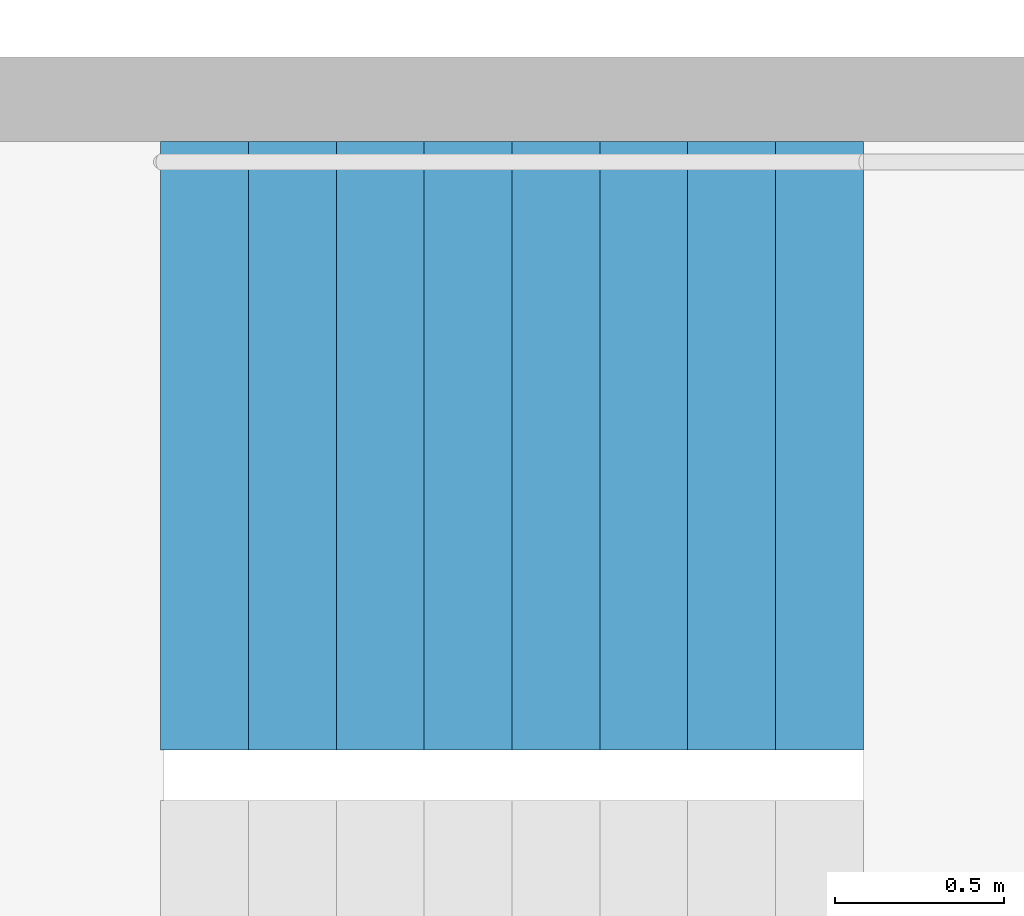
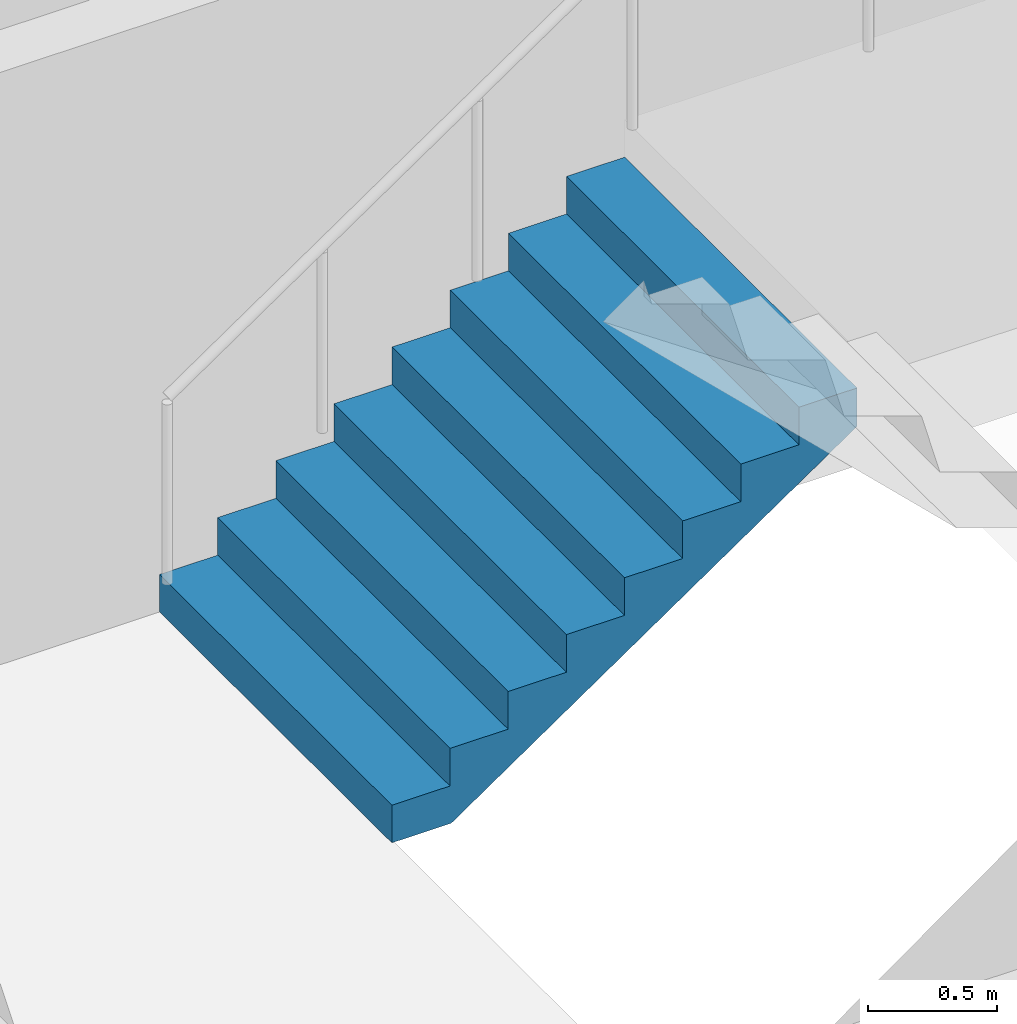
# One storey, part 26 of 29: 1 stair flight, 1 element without a shape of its own.
"""IFC4 building model written with IfcOpenShell, lengths in metres."""

from ifc_helpers import new_model, si_unit, direction, frame, origin, place, context, subcontext, project, spatial, triangles, material, type_object, element, aggregate, save


model = new_model("IFC4")

# Units and contexts
model_context = context("Model", 3, precision=1e-05, world=origin(), true_north=direction((0.0, 1.0)))
body_context = subcontext(model_context, "Body", "Model", "MODEL_VIEW")
ifc_project = project(units=[si_unit("LENGTHUNIT", "METRE"), si_unit("AREAUNIT", "SQUARE_METRE"), si_unit("VOLUMEUNIT", "CUBIC_METRE"), si_unit("PLANEANGLEUNIT", "RADIAN"), si_unit("MASSUNIT", "GRAM", prefix="KILO")], contexts=[model_context])

# Site, building, storey
site_placement = place(None, origin())
site = spatial("IfcSite", under=ifc_project, at=site_placement, CompositionType="ELEMENT")
building_placement = place(site_placement, origin())
building = spatial("IfcBuilding", under=site, at=building_placement, Name="Hakoniwa Tower and Hamabe Station Hall", CompositionType="ELEMENT")
storey_placement = place(building_placement, frame((0.0, 0.0, 101.0)))
storey = spatial("IfcBuildingStorey", under=building, at=storey_placement, Name="L28", CompositionType="ELEMENT", Elevation=101.0)

# Stair, stair flight
ifc_material_1 = material(Name="Concrete C40", Category="concrete")
stair_type = type_object("IfcStairType", Name="ESCAPE STAIR 1800", PredefinedType="HALF_TURN_STAIR", material=ifc_material_1)
stair_placement = place(storey_placement, origin())
stair = element("IfcStair", 1, at=stair_placement, inside=storey, type_object=stair_type, Name="Escape stair ST-4 L28", PredefinedType="HALF_TURN_STAIR")
ifc_material_2 = material(Name="Concrete C40", Category="concrete")
stair_flight_type = type_object("IfcStairFlightType", Name="STAIR FLIGHT 1800", PredefinedType="STRAIGHT", material=ifc_material_2)
stair_flight_placement = place(storey_placement, frame((23.39990234375, -4.64990234375, 0.0), z_axis=(0.0, 0.0, 1.0), x_axis=(1.0, 0.0, 0.0)))
stair_flight = element("IfcStairFlight", 2, at=stair_flight_placement, type_object=stair_flight_type, Name="ST-4 flight 1", NumberOfRisers=9, NumberOfTreads=8, PredefinedType="STRAIGHT", RiserHeight=0.177777778, TreadLength=0.26, context=body_context, shape_type="Tessellation", body=[
    triangles([(0.0, 0.89990234375, 0.0), (0.260009765625, 0.89990234375, 0.0), (0.265625, 0.89990234375, 0.0), (0.52001953125, 0.89990234375, 0.174072265625), (0.780029296875, 0.89990234375, 0.351806640625), (1.0400390625, 0.89990234375, 0.529541015625), (1.300048828125, 0.89990234375, 0.707275390625), (1.56005859375, 0.89990234375, 0.885009765625), (1.820068359375, 0.89990234375, 1.062744140625), (2.080078125, 0.89990234375, 1.24072265625), (2.080078125, 0.89990234375, 1.422119140625), (1.820068359375, 0.89990234375, 1.422119140625), (1.820068359375, 0.89990234375, 1.244384765625), (1.56005859375, 0.89990234375, 1.244384765625), (1.56005859375, 0.89990234375, 1.066650390625), (1.300048828125, 0.89990234375, 1.066650390625), (1.300048828125, 0.89990234375, 0.888916015625), (1.0400390625, 0.89990234375, 0.888916015625), (1.0400390625, 0.89990234375, 0.711181640625), (0.780029296875, 0.89990234375, 0.711181640625), (0.780029296875, 0.89990234375, 0.533447265625), (0.52001953125, 0.89990234375, 0.533447265625), (0.52001953125, 0.89990234375, 0.35546875), (0.265625, 0.89990234375, 0.35546875), (0.260009765625, 0.89990234375, 0.35546875), (0.260009765625, 0.89990234375, 0.177734375), (0.0, 0.89990234375, 0.177734375), (0.0, 0.06005859375, 0.0), (0.260009765625, 0.06005859375, 0.0), (0.265625, 0.06005859375, 0.0), (0.52001953125, 0.06005859375, 0.174072265625), (0.780029296875, 0.06005859375, 0.351806640625), (1.0400390625, 0.06005859375, 0.529541015625), (1.300048828125, 0.06005859375, 0.707275390625), (1.56005859375, 0.06005859375, 0.885009765625), (1.820068359375, 0.06005859375, 1.062744140625), (2.080078125, 0.06005859375, 1.24072265625), (2.080078125, 0.06005859375, 1.422119140625), (1.820068359375, 0.06005859375, 1.422119140625), (1.820068359375, 0.06005859375, 1.244384765625), (1.56005859375, 0.06005859375, 1.244384765625), (1.56005859375, 0.06005859375, 1.066650390625), (1.300048828125, 0.06005859375, 1.066650390625), (1.300048828125, 0.06005859375, 0.888916015625), (1.0400390625, 0.06005859375, 0.888916015625), (1.0400390625, 0.06005859375, 0.711181640625), (0.780029296875, 0.06005859375, 0.711181640625), (0.780029296875, 0.06005859375, 0.533447265625), (0.52001953125, 0.06005859375, 0.533447265625), (0.52001953125, 0.06005859375, 0.35546875), (0.265625, 0.06005859375, 0.35546875), (0.260009765625, 0.06005859375, 0.35546875), (0.260009765625, 0.06005859375, 0.177734375), (0.0, 0.06005859375, 0.177734375), (0.0, 0.04296875, 0.0), (0.260009765625, 0.04296875, 0.0), (0.265625, 0.04296875, 0.0), (0.52001953125, 0.04296875, 0.174072265625), (0.780029296875, 0.04296875, 0.351806640625), (1.0400390625, 0.04296875, 0.529541015625), (1.300048828125, 0.04296875, 0.707275390625), (1.56005859375, 0.04296875, 0.885009765625), (1.820068359375, 0.04296875, 1.062744140625), (2.080078125, 0.04296875, 1.24072265625), (2.080078125, 0.04296875, 1.422119140625), (1.820068359375, 0.04296875, 1.422119140625), (1.820068359375, 0.04296875, 1.244384765625), (1.56005859375, 0.04296875, 1.244384765625), (1.56005859375, 0.04296875, 1.066650390625), (1.300048828125, 0.04296875, 1.066650390625), (1.300048828125, 0.04296875, 0.888916015625), (1.0400390625, 0.04296875, 0.888916015625), (1.0400390625, 0.04296875, 0.711181640625), (0.780029296875, 0.04296875, 0.711181640625), (0.780029296875, 0.04296875, 0.533447265625), (0.52001953125, 0.04296875, 0.533447265625), (0.52001953125, 0.04296875, 0.35546875), (0.265625, 0.04296875, 0.35546875), (0.260009765625, 0.04296875, 0.35546875), (0.260009765625, 0.04296875, 0.177734375), (0.0, 0.04296875, 0.177734375), (0.0, 0.025634765625, 0.0), (0.260009765625, 0.025634765625, 0.0), (0.265625, 0.025634765625, 0.0), (0.52001953125, 0.025634765625, 0.174072265625), (0.780029296875, 0.025634765625, 0.351806640625), (1.0400390625, 0.025634765625, 0.529541015625), (1.300048828125, 0.025634765625, 0.707275390625), (1.56005859375, 0.025634765625, 0.885009765625), (1.820068359375, 0.025634765625, 1.062744140625), (2.080078125, 0.025634765625, 1.24072265625), (2.080078125, 0.025634765625, 1.422119140625), (1.820068359375, 0.025634765625, 1.422119140625), (1.820068359375, 0.025634765625, 1.244384765625), (1.56005859375, 0.025634765625, 1.244384765625), (1.56005859375, 0.025634765625, 1.066650390625), (1.300048828125, 0.025634765625, 1.066650390625), (1.300048828125, 0.025634765625, 0.888916015625), (1.0400390625, 0.025634765625, 0.888916015625), (1.0400390625, 0.025634765625, 0.711181640625), (0.780029296875, 0.025634765625, 0.711181640625), (0.780029296875, 0.025634765625, 0.533447265625), (0.52001953125, 0.025634765625, 0.533447265625), (0.52001953125, 0.025634765625, 0.35546875), (0.265625, 0.025634765625, 0.35546875), (0.260009765625, 0.025634765625, 0.35546875), (0.260009765625, 0.025634765625, 0.177734375), (0.0, 0.025634765625, 0.177734375), (0.0, 0.008544921875, 0.0), (0.260009765625, 0.008544921875, 0.0), (0.265625, 0.008544921875, 0.0), (0.52001953125, 0.008544921875, 0.174072265625), (0.780029296875, 0.008544921875, 0.351806640625), (1.0400390625, 0.008544921875, 0.529541015625), (1.300048828125, 0.008544921875, 0.707275390625), (1.56005859375, 0.008544921875, 0.885009765625), (1.820068359375, 0.008544921875, 1.062744140625), (2.080078125, 0.008544921875, 1.24072265625), (2.080078125, 0.008544921875, 1.422119140625), (1.820068359375, 0.008544921875, 1.422119140625), (1.820068359375, 0.008544921875, 1.244384765625), (1.56005859375, 0.008544921875, 1.244384765625), (1.56005859375, 0.008544921875, 1.066650390625), (1.300048828125, 0.008544921875, 1.066650390625), (1.300048828125, 0.008544921875, 0.888916015625), (1.0400390625, 0.008544921875, 0.888916015625), (1.0400390625, 0.008544921875, 0.711181640625), (0.780029296875, 0.008544921875, 0.711181640625), (0.780029296875, 0.008544921875, 0.533447265625), (0.52001953125, 0.008544921875, 0.533447265625), (0.52001953125, 0.008544921875, 0.35546875), (0.265625, 0.008544921875, 0.35546875), (0.260009765625, 0.008544921875, 0.35546875), (0.260009765625, 0.008544921875, 0.177734375), (0.0, 0.008544921875, 0.177734375), (0.0, -0.008544921875, 0.0), (0.260009765625, -0.008544921875, 0.0), (0.265625, -0.008544921875, 0.0), (0.52001953125, -0.008544921875, 0.174072265625), (0.780029296875, -0.008544921875, 0.351806640625), (1.0400390625, -0.008544921875, 0.529541015625), (1.300048828125, -0.008544921875, 0.707275390625), (1.56005859375, -0.008544921875, 0.885009765625), (1.820068359375, -0.008544921875, 1.062744140625), (2.080078125, -0.008544921875, 1.24072265625), (2.080078125, -0.008544921875, 1.422119140625), (1.820068359375, -0.008544921875, 1.422119140625), (1.820068359375, -0.008544921875, 1.244384765625), (1.56005859375, -0.008544921875, 1.244384765625), (1.56005859375, -0.008544921875, 1.066650390625), (1.300048828125, -0.008544921875, 1.066650390625), (1.300048828125, -0.008544921875, 0.888916015625), (1.0400390625, -0.008544921875, 0.888916015625), (1.0400390625, -0.008544921875, 0.711181640625), (0.780029296875, -0.008544921875, 0.711181640625), (0.780029296875, -0.008544921875, 0.533447265625), (0.52001953125, -0.008544921875, 0.533447265625), (0.52001953125, -0.008544921875, 0.35546875), (0.265625, -0.008544921875, 0.35546875), (0.260009765625, -0.008544921875, 0.35546875), (0.260009765625, -0.008544921875, 0.177734375), (0.0, -0.008544921875, 0.177734375), (0.0, -0.025634765625, 0.0), (0.260009765625, -0.025634765625, 0.0), (0.265625, -0.025634765625, 0.0), (0.52001953125, -0.025634765625, 0.174072265625), (0.780029296875, -0.025634765625, 0.351806640625), (1.0400390625, -0.025634765625, 0.529541015625), (1.300048828125, -0.025634765625, 0.707275390625), (1.56005859375, -0.025634765625, 0.885009765625), (1.820068359375, -0.025634765625, 1.062744140625), (2.080078125, -0.025634765625, 1.24072265625), (2.080078125, -0.025634765625, 1.422119140625), (1.820068359375, -0.025634765625, 1.422119140625), (1.820068359375, -0.025634765625, 1.244384765625), (1.56005859375, -0.025634765625, 1.244384765625), (1.56005859375, -0.025634765625, 1.066650390625), (1.300048828125, -0.025634765625, 1.066650390625), (1.300048828125, -0.025634765625, 0.888916015625), (1.0400390625, -0.025634765625, 0.888916015625), (1.0400390625, -0.025634765625, 0.711181640625), (0.780029296875, -0.025634765625, 0.711181640625), (0.780029296875, -0.025634765625, 0.533447265625), (0.52001953125, -0.025634765625, 0.533447265625), (0.52001953125, -0.025634765625, 0.35546875), (0.265625, -0.025634765625, 0.35546875), (0.260009765625, -0.025634765625, 0.35546875), (0.260009765625, -0.025634765625, 0.177734375), (0.0, -0.025634765625, 0.177734375), (0.0, -0.04296875, 0.0), (0.260009765625, -0.04296875, 0.0), (0.265625, -0.04296875, 0.0), (0.52001953125, -0.04296875, 0.174072265625), (0.780029296875, -0.04296875, 0.351806640625), (1.0400390625, -0.04296875, 0.529541015625), (1.300048828125, -0.04296875, 0.707275390625), (1.56005859375, -0.04296875, 0.885009765625), (1.820068359375, -0.04296875, 1.062744140625), (2.080078125, -0.04296875, 1.24072265625), (2.080078125, -0.04296875, 1.422119140625), (1.820068359375, -0.04296875, 1.422119140625), (1.820068359375, -0.04296875, 1.244384765625), (1.56005859375, -0.04296875, 1.244384765625), (1.56005859375, -0.04296875, 1.066650390625), (1.300048828125, -0.04296875, 1.066650390625), (1.300048828125, -0.04296875, 0.888916015625), (1.0400390625, -0.04296875, 0.888916015625), (1.0400390625, -0.04296875, 0.711181640625), (0.780029296875, -0.04296875, 0.711181640625), (0.780029296875, -0.04296875, 0.533447265625), (0.52001953125, -0.04296875, 0.533447265625), (0.52001953125, -0.04296875, 0.35546875), (0.265625, -0.04296875, 0.35546875), (0.260009765625, -0.04296875, 0.35546875), (0.260009765625, -0.04296875, 0.177734375), (0.0, -0.04296875, 0.177734375), (0.0, -0.06005859375, 0.0), (0.260009765625, -0.06005859375, 0.0), (0.265625, -0.06005859375, 0.0), (0.52001953125, -0.06005859375, 0.174072265625), (0.780029296875, -0.06005859375, 0.351806640625), (1.0400390625, -0.06005859375, 0.529541015625), (1.300048828125, -0.06005859375, 0.707275390625), (1.56005859375, -0.06005859375, 0.885009765625), (1.820068359375, -0.06005859375, 1.062744140625), (2.080078125, -0.06005859375, 1.24072265625), (2.080078125, -0.06005859375, 1.422119140625), (1.820068359375, -0.06005859375, 1.422119140625), (1.820068359375, -0.06005859375, 1.244384765625), (1.56005859375, -0.06005859375, 1.244384765625), (1.56005859375, -0.06005859375, 1.066650390625), (1.300048828125, -0.06005859375, 1.066650390625), (1.300048828125, -0.06005859375, 0.888916015625), (1.0400390625, -0.06005859375, 0.888916015625), (1.0400390625, -0.06005859375, 0.711181640625), (0.780029296875, -0.06005859375, 0.711181640625), (0.780029296875, -0.06005859375, 0.533447265625), (0.52001953125, -0.06005859375, 0.533447265625), (0.52001953125, -0.06005859375, 0.35546875), (0.265625, -0.06005859375, 0.35546875), (0.260009765625, -0.06005859375, 0.35546875), (0.260009765625, -0.06005859375, 0.177734375), (0.0, -0.06005859375, 0.177734375), (0.0, -0.89990234375, 0.0), (0.260009765625, -0.89990234375, 0.0), (0.265625, -0.89990234375, 0.0), (0.52001953125, -0.89990234375, 0.174072265625), (0.780029296875, -0.89990234375, 0.351806640625), (1.0400390625, -0.89990234375, 0.529541015625), (1.300048828125, -0.89990234375, 0.707275390625), (1.56005859375, -0.89990234375, 0.885009765625), (1.820068359375, -0.89990234375, 1.062744140625), (2.080078125, -0.89990234375, 1.24072265625), (2.080078125, -0.89990234375, 1.422119140625), (1.820068359375, -0.89990234375, 1.422119140625), (1.820068359375, -0.89990234375, 1.244384765625), (1.56005859375, -0.89990234375, 1.244384765625), (1.56005859375, -0.89990234375, 1.066650390625), (1.300048828125, -0.89990234375, 1.066650390625), (1.300048828125, -0.89990234375, 0.888916015625), (1.0400390625, -0.89990234375, 0.888916015625), (1.0400390625, -0.89990234375, 0.711181640625), (0.780029296875, -0.89990234375, 0.711181640625), (0.780029296875, -0.89990234375, 0.533447265625), (0.52001953125, -0.89990234375, 0.533447265625), (0.52001953125, -0.89990234375, 0.35546875), (0.265625, -0.89990234375, 0.35546875), (0.260009765625, -0.89990234375, 0.35546875), (0.260009765625, -0.89990234375, 0.177734375), (0.0, -0.89990234375, 0.177734375)], [[2, 27, 26], [245, 269, 270], [2, 1, 27], [245, 270, 244], [3, 25, 24], [246, 267, 268], [3, 26, 25], [246, 268, 269], [3, 2, 26], [246, 269, 245], [4, 24, 23], [247, 266, 267], [4, 3, 24], [247, 267, 246], [5, 22, 21], [248, 264, 265], [5, 23, 22], [248, 265, 266], [5, 4, 23], [248, 266, 247], [6, 20, 19], [249, 262, 263], [6, 21, 20], [249, 263, 264], [6, 5, 21], [249, 264, 248], [7, 18, 17], [250, 260, 261], [7, 19, 18], [250, 261, 262], [7, 6, 19], [250, 262, 249], [8, 16, 15], [251, 258, 259], [8, 17, 16], [251, 259, 260], [8, 7, 17], [251, 260, 250], [9, 14, 13], [252, 256, 257], [9, 15, 14], [252, 257, 258], [9, 8, 15], [252, 258, 251], [10, 12, 11], [253, 254, 255], [10, 13, 12], [253, 255, 256], [10, 9, 13], [253, 256, 252], [1, 2, 29], [1, 29, 28], [28, 29, 56], [28, 56, 55], [55, 56, 83], [55, 83, 82], [82, 83, 110], [82, 110, 109], [109, 110, 137], [109, 137, 136], [136, 137, 164], [136, 164, 163], [163, 164, 191], [163, 191, 190], [190, 191, 218], [190, 218, 217], [217, 218, 245], [217, 245, 244], [2, 3, 30], [2, 30, 29], [29, 30, 57], [29, 57, 56], [56, 57, 84], [56, 84, 83], [83, 84, 111], [83, 111, 110], [110, 111, 138], [110, 138, 137], [137, 138, 165], [137, 165, 164], [164, 165, 192], [164, 192, 191], [191, 192, 219], [191, 219, 218], [218, 219, 246], [218, 246, 245], [3, 4, 31], [3, 31, 30], [30, 31, 58], [30, 58, 57], [57, 58, 85], [57, 85, 84], [84, 85, 112], [84, 112, 111], [111, 112, 139], [111, 139, 138], [138, 139, 166], [138, 166, 165], [165, 166, 193], [165, 193, 192], [192, 193, 220], [192, 220, 219], [219, 220, 247], [219, 247, 246], [4, 5, 32], [4, 32, 31], [31, 32, 59], [31, 59, 58], [58, 59, 86], [58, 86, 85], [85, 86, 113], [85, 113, 112], [112, 113, 140], [112, 140, 139], [139, 140, 167], [139, 167, 166], [166, 167, 194], [166, 194, 193], [193, 194, 221], [193, 221, 220], [220, 221, 248], [220, 248, 247], [5, 6, 33], [5, 33, 32], [32, 33, 60], [32, 60, 59], [59, 60, 87], [59, 87, 86], [86, 87, 114], [86, 114, 113], [113, 114, 141], [113, 141, 140], [140, 141, 168], [140, 168, 167], [167, 168, 195], [167, 195, 194], [194, 195, 222], [194, 222, 221], [221, 222, 249], [221, 249, 248], [6, 7, 34], [6, 34, 33], [33, 34, 61], [33, 61, 60], [60, 61, 88], [60, 88, 87], [87, 88, 115], [87, 115, 114], [114, 115, 142], [114, 142, 141], [141, 142, 169], [141, 169, 168], [168, 169, 196], [168, 196, 195], [195, 196, 223], [195, 223, 222], [222, 223, 250], [222, 250, 249], [7, 8, 35], [7, 35, 34], [34, 35, 62], [34, 62, 61], [61, 62, 89], [61, 89, 88], [88, 89, 116], [88, 116, 115], [115, 116, 143], [115, 143, 142], [142, 143, 170], [142, 170, 169], [169, 170, 197], [169, 197, 196], [196, 197, 224], [196, 224, 223], [223, 224, 251], [223, 251, 250], [8, 9, 36], [8, 36, 35], [35, 36, 63], [35, 63, 62], [62, 63, 90], [62, 90, 89], [89, 90, 117], [89, 117, 116], [116, 117, 144], [116, 144, 143], [143, 144, 171], [143, 171, 170], [170, 171, 198], [170, 198, 197], [197, 198, 225], [197, 225, 224], [224, 225, 252], [224, 252, 251], [9, 10, 37], [9, 37, 36], [36, 37, 64], [36, 64, 63], [63, 64, 91], [63, 91, 90], [90, 91, 118], [90, 118, 117], [117, 118, 145], [117, 145, 144], [144, 145, 172], [144, 172, 171], [171, 172, 199], [171, 199, 198], [198, 199, 226], [198, 226, 225], [225, 226, 253], [225, 253, 252], [10, 11, 38], [10, 38, 37], [37, 38, 65], [37, 65, 64], [64, 65, 92], [64, 92, 91], [91, 92, 119], [91, 119, 118], [118, 119, 146], [118, 146, 145], [145, 146, 173], [145, 173, 172], [172, 173, 200], [172, 200, 199], [199, 200, 227], [199, 227, 226], [226, 227, 254], [226, 254, 253], [11, 12, 39], [11, 39, 38], [38, 39, 66], [38, 66, 65], [65, 66, 93], [65, 93, 92], [92, 93, 120], [92, 120, 119], [119, 120, 147], [119, 147, 146], [146, 147, 174], [146, 174, 173], [173, 174, 201], [173, 201, 200], [200, 201, 228], [200, 228, 227], [227, 228, 255], [227, 255, 254], [12, 13, 40], [12, 40, 39], [39, 40, 67], [39, 67, 66], [66, 67, 94], [66, 94, 93], [93, 94, 121], [93, 121, 120], [120, 121, 148], [120, 148, 147], [147, 148, 175], [147, 175, 174], [174, 175, 202], [174, 202, 201], [201, 202, 229], [201, 229, 228], [228, 229, 256], [228, 256, 255], [13, 14, 41], [13, 41, 40], [40, 41, 68], [40, 68, 67], [67, 68, 95], [67, 95, 94], [94, 95, 122], [94, 122, 121], [121, 122, 149], [121, 149, 148], [148, 149, 176], [148, 176, 175], [175, 176, 203], [175, 203, 202], [202, 203, 230], [202, 230, 229], [229, 230, 257], [229, 257, 256], [14, 15, 42], [14, 42, 41], [41, 42, 69], [41, 69, 68], [68, 69, 96], [68, 96, 95], [95, 96, 123], [95, 123, 122], [122, 123, 150], [122, 150, 149], [149, 150, 177], [149, 177, 176], [176, 177, 204], [176, 204, 203], [203, 204, 231], [203, 231, 230], [230, 231, 258], [230, 258, 257], [15, 16, 43], [15, 43, 42], [42, 43, 70], [42, 70, 69], [69, 70, 97], [69, 97, 96], [96, 97, 124], [96, 124, 123], [123, 124, 151], [123, 151, 150], [150, 151, 178], [150, 178, 177], [177, 178, 205], [177, 205, 204], [204, 205, 232], [204, 232, 231], [231, 232, 259], [231, 259, 258], [16, 17, 44], [16, 44, 43], [43, 44, 71], [43, 71, 70], [70, 71, 98], [70, 98, 97], [97, 98, 125], [97, 125, 124], [124, 125, 152], [124, 152, 151], [151, 152, 179], [151, 179, 178], [178, 179, 206], [178, 206, 205], [205, 206, 233], [205, 233, 232], [232, 233, 260], [232, 260, 259], [17, 18, 45], [17, 45, 44], [44, 45, 72], [44, 72, 71], [71, 72, 99], [71, 99, 98], [98, 99, 126], [98, 126, 125], [125, 126, 153], [125, 153, 152], [152, 153, 180], [152, 180, 179], [179, 180, 207], [179, 207, 206], [206, 207, 234], [206, 234, 233], [233, 234, 261], [233, 261, 260], [18, 19, 46], [18, 46, 45], [45, 46, 73], [45, 73, 72], [72, 73, 100], [72, 100, 99], [99, 100, 127], [99, 127, 126], [126, 127, 154], [126, 154, 153], [153, 154, 181], [153, 181, 180], [180, 181, 208], [180, 208, 207], [207, 208, 235], [207, 235, 234], [234, 235, 262], [234, 262, 261], [19, 20, 47], [19, 47, 46], [46, 47, 74], [46, 74, 73], [73, 74, 101], [73, 101, 100], [100, 101, 128], [100, 128, 127], [127, 128, 155], [127, 155, 154], [154, 155, 182], [154, 182, 181], [181, 182, 209], [181, 209, 208], [208, 209, 236], [208, 236, 235], [235, 236, 263], [235, 263, 262], [20, 21, 48], [20, 48, 47], [47, 48, 75], [47, 75, 74], [74, 75, 102], [74, 102, 101], [101, 102, 129], [101, 129, 128], [128, 129, 156], [128, 156, 155], [155, 156, 183], [155, 183, 182], [182, 183, 210], [182, 210, 209], [209, 210, 237], [209, 237, 236], [236, 237, 264], [236, 264, 263], [21, 22, 49], [21, 49, 48], [48, 49, 76], [48, 76, 75], [75, 76, 103], [75, 103, 102], [102, 103, 130], [102, 130, 129], [129, 130, 157], [129, 157, 156], [156, 157, 184], [156, 184, 183], [183, 184, 211], [183, 211, 210], [210, 211, 238], [210, 238, 237], [237, 238, 265], [237, 265, 264], [22, 23, 50], [22, 50, 49], [49, 50, 77], [49, 77, 76], [76, 77, 104], [76, 104, 103], [103, 104, 131], [103, 131, 130], [130, 131, 158], [130, 158, 157], [157, 158, 185], [157, 185, 184], [184, 185, 212], [184, 212, 211], [211, 212, 239], [211, 239, 238], [238, 239, 266], [238, 266, 265], [23, 24, 51], [23, 51, 50], [50, 51, 78], [50, 78, 77], [77, 78, 105], [77, 105, 104], [104, 105, 132], [104, 132, 131], [131, 132, 159], [131, 159, 158], [158, 159, 186], [158, 186, 185], [185, 186, 213], [185, 213, 212], [212, 213, 240], [212, 240, 239], [239, 240, 267], [239, 267, 266], [24, 25, 52], [24, 52, 51], [51, 52, 79], [51, 79, 78], [78, 79, 106], [78, 106, 105], [105, 106, 133], [105, 133, 132], [132, 133, 160], [132, 160, 159], [159, 160, 187], [159, 187, 186], [186, 187, 214], [186, 214, 213], [213, 214, 241], [213, 241, 240], [240, 241, 268], [240, 268, 267], [25, 26, 53], [25, 53, 52], [52, 53, 80], [52, 80, 79], [79, 80, 107], [79, 107, 106], [106, 107, 134], [106, 134, 133], [133, 134, 161], [133, 161, 160], [160, 161, 188], [160, 188, 187], [187, 188, 215], [187, 215, 214], [214, 215, 242], [214, 242, 241], [241, 242, 269], [241, 269, 268], [26, 27, 54], [26, 54, 53], [53, 54, 81], [53, 81, 80], [80, 81, 108], [80, 108, 107], [107, 108, 135], [107, 135, 134], [134, 135, 162], [134, 162, 161], [161, 162, 189], [161, 189, 188], [188, 189, 216], [188, 216, 215], [215, 216, 243], [215, 243, 242], [242, 243, 270], [242, 270, 269], [27, 1, 28], [27, 28, 54], [54, 28, 55], [54, 55, 81], [81, 55, 82], [81, 82, 108], [108, 82, 109], [108, 109, 135], [135, 109, 136], [135, 136, 162], [162, 136, 163], [162, 163, 189], [189, 163, 190], [189, 190, 216], [216, 190, 217], [216, 217, 243], [243, 217, 244], [243, 244, 270]], closed=True),
])
aggregate(stair, [stair_flight])

save(model, "model.ifc")
